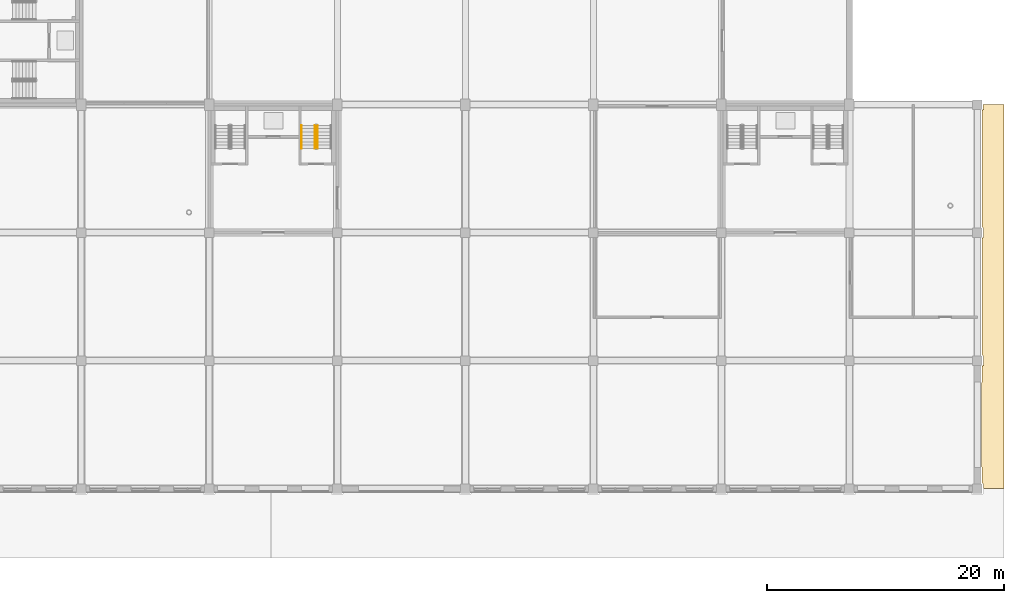
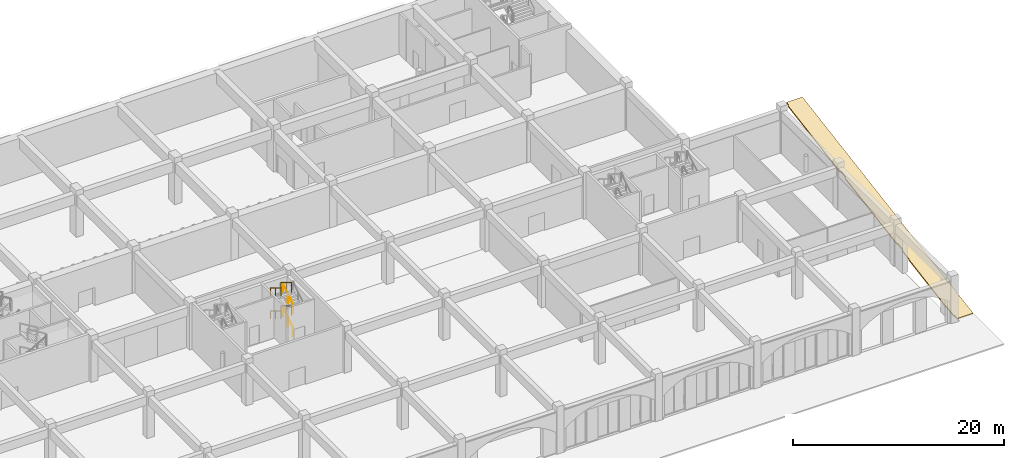
# One storey, part 94 of 101: 6 railings, 1 covering.
"""IFC4 building model written with IfcOpenShell, lengths in metres."""

from ifc_helpers import new_model, si_unit, direction, frame, origin, origin_2d, place, context, subcontext, project, spatial, polyline, circle, outline, extrude, material, layer, layer_set, type_object, element, save


model = new_model("IFC4")

# Units and contexts
model_context = context("Model", 3, precision=1e-05, world=origin(), true_north=direction((0.0, 1.0)))
body_context = subcontext(model_context, "Body", "Model", "MODEL_VIEW")
ifc_project = project(units=[si_unit("LENGTHUNIT", "METRE"), si_unit("AREAUNIT", "SQUARE_METRE"), si_unit("VOLUMEUNIT", "CUBIC_METRE"), si_unit("PLANEANGLEUNIT", "RADIAN"), si_unit("MASSUNIT", "GRAM", prefix="KILO")], contexts=[model_context])

# Site, building, storey
site_placement = place(None, origin())
site = spatial("IfcSite", under=ifc_project, at=site_placement, CompositionType="ELEMENT")
building_placement = place(site_placement, origin())
building = spatial("IfcBuilding", under=site, at=building_placement, Name="Magnolia Steps Interchange", CompositionType="ELEMENT")
storey_placement = place(building_placement, frame((0.0, 0.0, -5.39990234375)))
storey = spatial("IfcBuildingStorey", under=building, at=storey_placement, Name="B1", CompositionType="ELEMENT", Elevation=-5.39990234375)

# Covering
ifc_material_1 = material(Name="Topsoil and turf on compacted fill")
ifc_layer = layer(ifc_material_1, 0.14990234375)
ifc_layer_set = layer_set([ifc_layer], Name="Planted bank 150")
covering_type = type_object("IfcCoveringType", Name="Planted bank 150", PredefinedType="FLOORING", material=ifc_layer_set)
covering_placement = place(storey_placement, frame((195.85009765625, 10.0, 0.0), z_axis=(-3.0445256e-05, -0.164396808594, 0.986394286478), x_axis=(-0.999999999537, 5.005103e-06, -3.0031027e-05)))
element("IfcCovering", 1, at=covering_placement, inside=storey, type_object=covering_type, Name="Planted bank south east", PredefinedType="FLOORING", context=body_context, shape_type="SweptSolid", body=[
    extrude(outline(polyline([(0.0, 0.0), (1.75024414, 0.0), (1.749999999, -0.405418499), (1.850097658, -0.506883499), (1.850097661, -1.824844814), (1.900146489, -1.912462731), (1.900146483, -9.036525878), (1.850097655, -9.124143795), (1.850097658, -10.442105111), (1.750000003, -10.543329292), (1.750488283, -11.364320817), (1.850097656, -11.455912244), (1.850097656, -21.391133856), (1.750488285, -21.482444329), (1.750000003, -22.303435854), (1.850097661, -22.404900854), (1.850097653, -32.339921783), (1.750488283, -32.431473075), (1.751220703, -32.846805282), (0.0, -32.846805282), (0.0, 0.0)])), origin(), (0.0, 0.0, -1.0), 0.14990234375),
])

# Railings
ifc_material_2 = material(Name="Stainless steel grade 304", Category="steel")
railing_type_1 = type_object("IfcRailingType", Name="Stair guard 1100", PredefinedType="GUARDRAIL", material=ifc_material_2)
railing_1_placement = place(storey_placement, frame((137.924072265625, 38.699951171875, 0.168701171875)))
element("IfcRailing", 2, at=railing_1_placement, inside=storey, type_object=railing_type_1, Name="B1 ST22 stair guard 1", PredefinedType="GUARDRAIL", context=body_context, shape_type="SweptSolid", body=[
    extrude(circle(Radius=0.02392578125, at=origin_2d()), frame((0.0, 0.0, 1.076171875), z_axis=(0.0, 0.856493463811, 0.516157869696), x_axis=(-1.0, 0.0, 0.0)), (0.0, 0.0, 1.0), 2.288330078125),
    extrude(circle(Radius=0.02099609375, at=origin_2d()), origin(), (0.0, 0.0, 1.0), 1.052001953125),
    extrude(circle(Radius=0.02099609375, at=origin_2d()), frame((0.0, 0.97998046875, 0.590576171875)), (0.0, 0.0, 1.0), 1.052001953125),
    extrude(circle(Radius=0.02099609375, at=origin_2d()), frame((0.0, 1.9599609375, 1.18115234375)), (0.0, 0.0, 1.0), 1.052001953125),
])
railing_2_placement = place(storey_placement, frame((137.72607421875, 40.659912109375, 1.5185546875)))
element("IfcRailing", 3, at=railing_2_placement, inside=storey, type_object=railing_type_1, Name="B1 ST22 stair guard 3", PredefinedType="GUARDRAIL", context=body_context, shape_type="SweptSolid", body=[
    extrude(circle(Radius=0.02392578125, at=origin_2d()), frame((0.0, 0.0, 1.076171875), z_axis=(0.0, -0.856446297458, 0.516236127728), x_axis=(1.0, 0.0, 0.0)), (0.0, 0.0, 1.0), 2.28857421875),
    extrude(circle(Radius=0.02099609375, at=origin_2d()), origin(), (0.0, 0.0, 1.0), 1.052001953125),
    extrude(circle(Radius=0.02099609375, at=origin_2d()), frame((0.0, -0.97998046875, 0.5908203125)), (0.0, 0.0, 1.0), 1.052001953125),
    extrude(circle(Radius=0.02099609375, at=origin_2d()), frame((0.0, -1.9599609375, 1.181396484375)), (0.0, 0.0, 1.0), 1.052001953125),
])
railing_3_placement = place(storey_placement, frame((137.924072265625, 38.699951171875, 2.86865234375)))
element("IfcRailing", 4, at=railing_3_placement, inside=storey, type_object=railing_type_1, Name="B1 ST22 stair guard 5", PredefinedType="GUARDRAIL", context=body_context, shape_type="SweptSolid", body=[
    extrude(circle(Radius=0.02392578125, at=origin_2d()), frame((0.0, 0.0, 1.076171875), z_axis=(0.0, 0.856493463811, 0.516157869696), x_axis=(-1.0, 0.0, 0.0)), (0.0, 0.0, 1.0), 2.288330078125),
    extrude(circle(Radius=0.02099609375, at=origin_2d()), origin(), (0.0, 0.0, 1.0), 1.052001953125),
    extrude(circle(Radius=0.02099609375, at=origin_2d()), frame((0.0, 0.97998046875, 0.590576171875)), (0.0, 0.0, 1.0), 1.052001953125),
    extrude(circle(Radius=0.02099609375, at=origin_2d()), frame((0.0, 1.9599609375, 1.18115234375)), (0.0, 0.0, 1.0), 1.052001953125),
])
railing_4_placement = place(storey_placement, frame((137.72607421875, 40.659912109375, 4.21875)))
element("IfcRailing", 5, at=railing_4_placement, inside=storey, type_object=railing_type_1, Name="B1 ST22 stair guard 7", PredefinedType="GUARDRAIL", context=body_context, shape_type="SweptSolid", body=[
    extrude(circle(Radius=0.02392578125, at=origin_2d()), frame((0.0, 0.0, 1.076171875), z_axis=(0.0, -0.856493463811, 0.516157869696), x_axis=(1.0, 0.0, 0.0)), (0.0, 0.0, 1.0), 2.288330078125),
    extrude(circle(Radius=0.02099609375, at=origin_2d()), origin(), (0.0, 0.0, 1.0), 1.052001953125),
    extrude(circle(Radius=0.02099609375, at=origin_2d()), frame((0.0, -0.97998046875, 0.590576171875)), (0.0, 0.0, 1.0), 1.052001953125),
    extrude(circle(Radius=0.02099609375, at=origin_2d()), frame((0.0, -1.9599609375, 1.18115234375)), (0.0, 0.0, 1.0), 1.052001953125),
])
ifc_material_3 = material(Name="Stainless steel grade 304", Category="steel")
railing_type_2 = type_object("IfcRailingType", Name="Stair handrail 900", PredefinedType="HANDRAIL", material=ifc_material_3)
railing_5_placement = place(storey_placement, frame((136.573974609375, 40.659912109375, 1.5185546875)))
element("IfcRailing", 6, at=railing_5_placement, inside=storey, type_object=railing_type_2, Name="B1 ST22 stair handrail 2", PredefinedType="HANDRAIL", context=body_context, shape_type="SweptSolid", body=[
    extrude(circle(Radius=0.02392578125, at=origin_2d()), frame((0.0, 0.0, 0.8759765625), z_axis=(0.0, -0.856446297458, 0.516236127728), x_axis=(1.0, 0.0, 0.0)), (0.0, 0.0, 1.0), 2.28857421875),
    extrude(circle(Radius=0.02099609375, at=origin_2d()), origin(), (0.0, 0.0, 1.0), 0.851806640625),
    extrude(circle(Radius=0.02099609375, at=origin_2d()), frame((0.0, -0.97998046875, 0.5908203125)), (0.0, 0.0, 1.0), 0.851806640625),
    extrude(circle(Radius=0.02099609375, at=origin_2d()), frame((0.0, -1.9599609375, 1.181396484375)), (0.0, 0.0, 1.0), 0.851806640625),
])
railing_6_placement = place(storey_placement, frame((136.573974609375, 40.659912109375, 4.21875)))
element("IfcRailing", 7, at=railing_6_placement, inside=storey, type_object=railing_type_2, Name="B1 ST22 stair handrail 4", PredefinedType="HANDRAIL", context=body_context, shape_type="SweptSolid", body=[
    extrude(circle(Radius=0.02392578125, at=origin_2d()), frame((0.0, 0.0, 0.8759765625), z_axis=(0.0, -0.856493463811, 0.516157869696), x_axis=(1.0, 0.0, 0.0)), (0.0, 0.0, 1.0), 2.288330078125),
    extrude(circle(Radius=0.02099609375, at=origin_2d()), origin(), (0.0, 0.0, 1.0), 0.851806640625),
    extrude(circle(Radius=0.02099609375, at=origin_2d()), frame((0.0, -0.97998046875, 0.590576171875)), (0.0, 0.0, 1.0), 0.851806640625),
    extrude(circle(Radius=0.02099609375, at=origin_2d()), frame((0.0, -1.9599609375, 1.18115234375)), (0.0, 0.0, 1.0), 0.851806640625),
])

save(model, "model.ifc")
